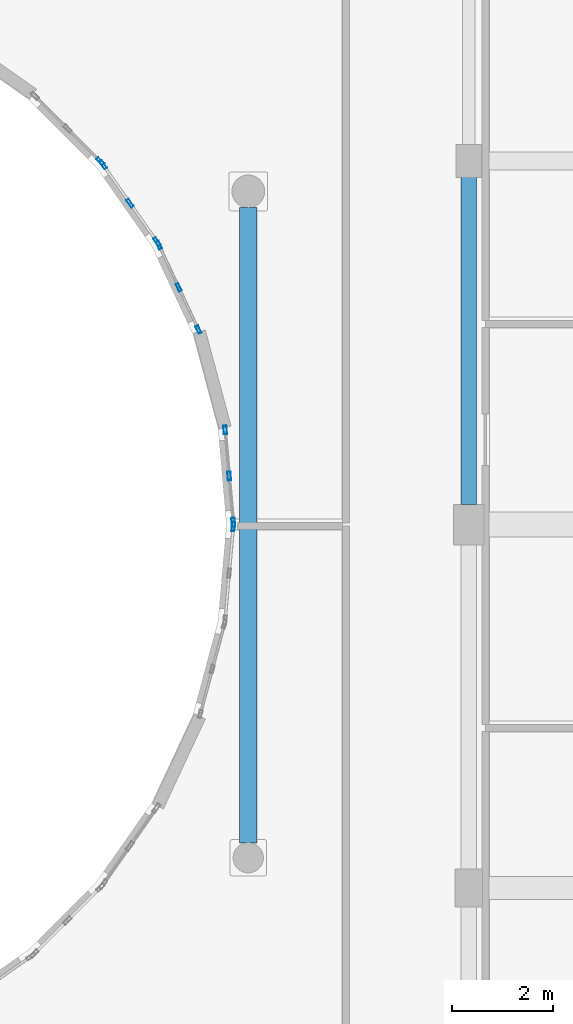
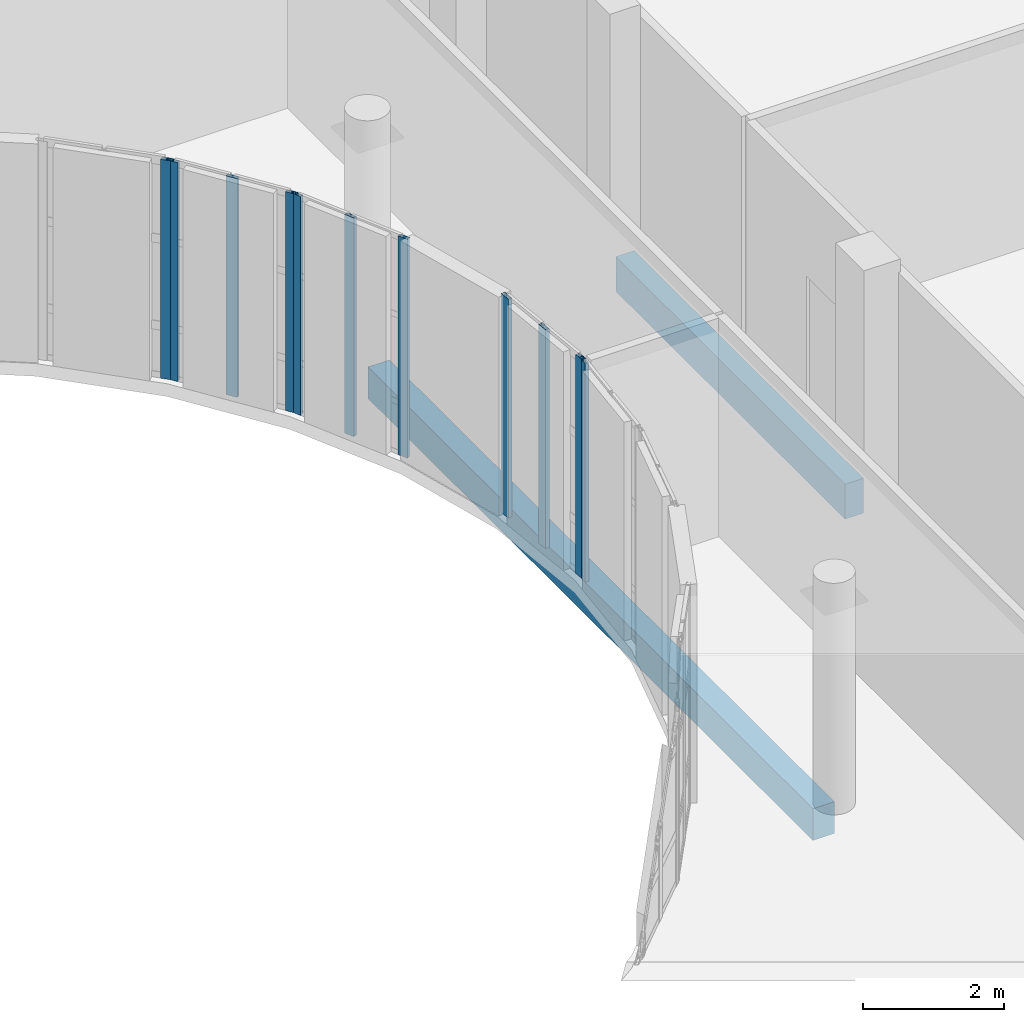
# One storey, part 32 of 105: 11 members, 2 beams, 5 elements without a shape of their own.
"""IFC4 building model written with IfcOpenShell, lengths in metres."""

from ifc_helpers import new_model, si_unit, direction, frame, origin, origin_2d, place, context, subcontext, project, spatial, rectangle, hollow_rectangle, extrude, material, layer, layer_set, material_profile, profile_set, type_object, element, aggregate, save


model = new_model("IFC4")

# Units and contexts
model_context = context("Model", 3, precision=1e-05, world=origin(), true_north=direction((0.0, 1.0)))
body_context = subcontext(model_context, "Body", "Model", "MODEL_VIEW")
ifc_project = project(units=[si_unit("LENGTHUNIT", "METRE"), si_unit("AREAUNIT", "SQUARE_METRE"), si_unit("VOLUMEUNIT", "CUBIC_METRE"), si_unit("PLANEANGLEUNIT", "RADIAN"), si_unit("MASSUNIT", "GRAM", prefix="KILO")], contexts=[model_context])

# Site, building, storey
site_placement = place(None, origin())
site = spatial("IfcSite", under=ifc_project, at=site_placement, CompositionType="ELEMENT")
building_placement = place(site_placement, origin())
building = spatial("IfcBuilding", under=site, at=building_placement, Name="Kelanivale Promenade Academy", CompositionType="ELEMENT")
storey_placement = place(building_placement, frame((0.0, 0.0, 4.199951171875)))
storey = spatial("IfcBuildingStorey", under=building, at=storey_placement, Name="L01", CompositionType="ELEMENT", Elevation=4.199951171875)

# Curtain wall, members
ifc_material_1 = material(Name="Bronze anodised aluminium and solar-control low-E glass", Category="aluminium")
ifc_layer_1 = layer(ifc_material_1, 0.179931640625)
ifc_layer_set_1 = layer_set([ifc_layer_1], Name="Bronze anodised aluminium and solar-control low-E glass")
curtain_wall_type_1 = type_object("IfcCurtainWallType", Name="CW-05 Curtain Wall 1950mm Module", PredefinedType="USERDEFINED", material=ifc_layer_set_1)
curtain_wall_1_placement = place(storey_placement, origin())
curtain_wall_1 = element("IfcCurtainWall", 1, at=curtain_wall_1_placement, inside=storey, type_object=curtain_wall_type_1, Name="L01 courtyard curtain wall CW-05", ObjectType="UNITISED GLAZING", PredefinedType="USERDEFINED")
ifc_material_2 = material(Name="Bronze anodised aluminium EN AW-6063 T6", Category="aluminium")
ifc_material_profile_1 = material_profile(ifc_material_2, hollow_rectangle(XDim=0.06005859375, YDim=0.159912109375, WallThickness=0.00390625, at=origin_2d()), Name="ALU 60x160x4.0")
ifc_profile_set_1 = profile_set([ifc_material_profile_1], Name="Bronze anodised aluminium EN AW-6063 T6")
member_type_1 = type_object("IfcMemberType", Name="CWM-01 ALU 60x160x4.0", PredefinedType="MULLION", material=ifc_profile_set_1)
member_1_placement = place(storey_placement, frame((73.84521484375, 60.662109375, 0.0), z_axis=(0.0, 0.0, 1.0), x_axis=(-0.906089128146, -0.423086860887, 0.0)))
member_1 = element("IfcMember", 2, at=member_1_placement, type_object=member_type_1, Name="CW-05 mullion 1", PredefinedType="MULLION", context=body_context, shape_type="SweptSolid", body=[
    extrude(hollow_rectangle(XDim=0.06005859375, YDim=0.159912109375, WallThickness=0.00390625, at=origin_2d()), origin(), (0.0, 0.0, 1.0), 3.780029296875),
])
member_2_placement = place(storey_placement, frame((73.45556640625, 61.4970703125, 0.0), z_axis=(0.0, 0.0, 1.0), x_axis=(-0.906089128146, -0.423086860887, 0.0)))
member_2 = element("IfcMember", 3, at=member_2_placement, type_object=member_type_1, Name="CW-05 mullion 2", PredefinedType="MULLION", context=body_context, shape_type="SweptSolid", body=[
    extrude(hollow_rectangle(XDim=0.06005859375, YDim=0.159912109375, WallThickness=0.00390625, at=origin_2d()), origin(), (0.0, 0.0, 1.0), 3.780029296875),
])
member_3_placement = place(storey_placement, frame((73.065673828125, 62.331787109375, 0.0), z_axis=(0.0, 0.0, 1.0), x_axis=(-0.906089128146, -0.423086860887, 0.0)))
member_3 = element("IfcMember", 4, at=member_3_placement, type_object=member_type_1, Name="CW-05 mullion 3", PredefinedType="MULLION", context=body_context, shape_type="SweptSolid", body=[
    extrude(hollow_rectangle(XDim=0.06005859375, YDim=0.159912109375, WallThickness=0.00390625, at=origin_2d()), origin(), (0.0, 0.0, 1.0), 3.780029296875),
])
aggregate(curtain_wall_1, [member_1, member_2, member_3])

ifc_layer_2 = layer(ifc_material_1, 0.159912109375)
ifc_layer_set_2 = layer_set([ifc_layer_2], Name="Bronze anodised aluminium and solar-control low-E glass")
curtain_wall_type_2 = type_object("IfcCurtainWallType", Name="CW-06 Curtain Wall 1200mm Module", PredefinedType="USERDEFINED", material=ifc_layer_set_2)
curtain_wall_2_placement = place(storey_placement, origin())
curtain_wall_2 = element("IfcCurtainWall", 5, at=curtain_wall_2_placement, inside=storey, type_object=curtain_wall_type_2, Name="L01 courtyard curtain wall CW-06", ObjectType="UNITISED GLAZING", PredefinedType="USERDEFINED")
ifc_material_profile_2 = material_profile(ifc_material_2, hollow_rectangle(XDim=0.06005859375, YDim=0.179931640625, WallThickness=0.00390625, at=origin_2d()), Name="ALU 60x180x4.0")
ifc_profile_set_2 = profile_set([ifc_material_profile_2], Name="Bronze anodised aluminium EN AW-6063 T6")
member_type_2 = type_object("IfcMemberType", Name="CWM-02 ALU 60x180x4.0", PredefinedType="MULLION", material=ifc_profile_set_2)
member_4_placement = place(storey_placement, frame((73.023681640625, 62.404541015625, 0.0), z_axis=(0.0, 0.0, 1.0), x_axis=(-0.81915842439, -0.573567324515, 0.0)))
member_4 = element("IfcMember", 6, at=member_4_placement, type_object=member_type_2, Name="CW-06 mullion 1", PredefinedType="MULLION", context=body_context, shape_type="SweptSolid", body=[
    extrude(hollow_rectangle(XDim=0.06005859375, YDim=0.179931640625, WallThickness=0.00390625, at=origin_2d()), origin(), (0.0, 0.0, 1.0), 3.780029296875),
])
member_5_placement = place(storey_placement, frame((72.490966796875, 63.16552734375, 0.0), z_axis=(0.0, 0.0, 1.0), x_axis=(-0.81915842439, -0.573567324515, 0.0)))
member_5 = element("IfcMember", 7, at=member_5_placement, type_object=member_type_2, Name="CW-06 mullion 2", PredefinedType="MULLION", context=body_context, shape_type="SweptSolid", body=[
    extrude(hollow_rectangle(XDim=0.06005859375, YDim=0.179931640625, WallThickness=0.00390625, at=origin_2d()), origin(), (0.0, 0.0, 1.0), 3.780029296875),
])
member_6_placement = place(storey_placement, frame((71.958251953125, 63.926513671875, 0.0), z_axis=(0.0, 0.0, 1.0), x_axis=(-0.81915842439, -0.573567324515, 0.0)))
member_6 = element("IfcMember", 8, at=member_6_placement, type_object=member_type_2, Name="CW-06 mullion 3", PredefinedType="MULLION", context=body_context, shape_type="SweptSolid", body=[
    extrude(hollow_rectangle(XDim=0.06005859375, YDim=0.179931640625, WallThickness=0.00390625, at=origin_2d()), origin(), (0.0, 0.0, 1.0), 3.780029296875),
])
aggregate(curtain_wall_2, [member_4, member_5, member_6])

# Curtain wall, member
curtain_wall_3_placement = place(storey_placement, origin())
curtain_wall_3 = element("IfcCurtainWall", 9, at=curtain_wall_3_placement, inside=storey, type_object=curtain_wall_type_2, Name="L01 courtyard curtain wall CW-06", ObjectType="UNITISED GLAZING", PredefinedType="USERDEFINED")
member_7_placement = place(storey_placement, frame((74.536376953125, 56.758056640625, 0.0), z_axis=(0.0, 0.0, 1.0), x_axis=(-0.996199376727, 0.087102249164, 0.0)))
member_7 = element("IfcMember", 10, at=member_7_placement, type_object=member_type_2, Name="CW-06 mullion 3", PredefinedType="MULLION", context=body_context, shape_type="SweptSolid", body=[
    extrude(hollow_rectangle(XDim=0.06005859375, YDim=0.179931640625, WallThickness=0.00390625, at=origin_2d()), origin(), (0.0, 0.0, 1.0), 3.780029296875),
])
aggregate(curtain_wall_3, [member_7])

ifc_layer_3 = layer(ifc_material_1, 0.169921875)
ifc_layer_set_3 = layer_set([ifc_layer_3], Name="Bronze anodised aluminium and solar-control low-E glass")
curtain_wall_type_3 = type_object("IfcCurtainWallType", Name="CW-07 Curtain Wall 1350mm Module", PredefinedType="USERDEFINED", material=ifc_layer_set_3)
curtain_wall_4_placement = place(storey_placement, origin())
curtain_wall_4 = element("IfcCurtainWall", 11, at=curtain_wall_4_placement, inside=storey, type_object=curtain_wall_type_3, Name="L01 courtyard curtain wall CW-07", ObjectType="UNITISED GLAZING", PredefinedType="USERDEFINED")
ifc_material_profile_3 = material_profile(ifc_material_2, hollow_rectangle(XDim=0.06494140625, YDim=0.175048828125, WallThickness=0.00390625, at=origin_2d()), Name="ALU 65x175x4.0")
ifc_profile_set_3 = profile_set([ifc_material_profile_3], Name="Bronze anodised aluminium EN AW-6063 T6")
member_type_3 = type_object("IfcMemberType", Name="CWM-03 ALU 65x175x4.0", PredefinedType="MULLION", material=ifc_profile_set_3)
member_8_placement = place(storey_placement, frame((71.902099609375, 63.992919921875, 0.0), z_axis=(0.0, 0.0, 1.0), x_axis=(-0.707106781187, -0.707106781187, 0.0)))
member_8 = element("IfcMember", 12, at=member_8_placement, type_object=member_type_3, Name="CW-07 mullion 1", PredefinedType="MULLION", context=body_context, shape_type="SweptSolid", body=[
    extrude(hollow_rectangle(XDim=0.06494140625, YDim=0.175048828125, WallThickness=0.00390625, at=origin_2d()), origin(), (0.0, 0.0, 1.0), 3.780029296875),
])
aggregate(curtain_wall_4, [member_8])

# Curtain wall, members
curtain_wall_5_placement = place(storey_placement, origin())
curtain_wall_5 = element("IfcCurtainWall", 13, at=curtain_wall_5_placement, inside=storey, type_object=curtain_wall_type_3, Name="L01 courtyard curtain wall CW-07", ObjectType="UNITISED GLAZING", PredefinedType="USERDEFINED")
member_9_placement = place(storey_placement, frame((74.5361328125, 56.844482421875, 0.0), z_axis=(0.0, 0.0, 1.0), x_axis=(-0.996185153601, -0.087264768066, 0.0)))
member_9 = element("IfcMember", 14, at=member_9_placement, type_object=member_type_3, Name="CW-07 mullion 1", PredefinedType="MULLION", context=body_context, shape_type="SweptSolid", body=[
    extrude(hollow_rectangle(XDim=0.06494140625, YDim=0.175048828125, WallThickness=0.00390625, at=origin_2d()), origin(), (0.0, 0.0, 1.0), 3.780029296875),
])
member_10_placement = place(storey_placement, frame((74.4560546875, 57.759521484375, 0.0), z_axis=(0.0, 0.0, 1.0), x_axis=(-0.996185153601, -0.087264768066, 0.0)))
member_10 = element("IfcMember", 15, at=member_10_placement, type_object=member_type_3, Name="CW-07 mullion 2", PredefinedType="MULLION", context=body_context, shape_type="SweptSolid", body=[
    extrude(hollow_rectangle(XDim=0.06494140625, YDim=0.175048828125, WallThickness=0.00390625, at=origin_2d()), origin(), (0.0, 0.0, 1.0), 3.780029296875),
])
member_11_placement = place(storey_placement, frame((74.375732421875, 58.674560546875, 0.0), z_axis=(0.0, 0.0, 1.0), x_axis=(-0.996185153601, -0.087264768066, 0.0)))
member_11 = element("IfcMember", 16, at=member_11_placement, type_object=member_type_3, Name="CW-07 mullion 3", PredefinedType="MULLION", context=body_context, shape_type="SweptSolid", body=[
    extrude(hollow_rectangle(XDim=0.06494140625, YDim=0.175048828125, WallThickness=0.00390625, at=origin_2d()), origin(), (0.0, 0.0, 1.0), 3.780029296875),
])
aggregate(curtain_wall_5, [member_9, member_10, member_11])

# Beams
ifc_material_3 = material(Name="Concrete C35/45", Category="concrete")
ifc_material_profile_4 = material_profile(ifc_material_3, rectangle(XDim=0.300048828125, YDim=0.60009765625, at=origin_2d()), Name="RC-BM 300x600")
ifc_profile_set_4 = profile_set([ifc_material_profile_4], Name="Concrete C35/45")
beam_type_1 = type_object("IfcBeamType", Name="JS-03 RC-BM 300x600", PredefinedType="JOIST", material=ifc_profile_set_4)
beam_1_placement = place(storey_placement, frame((79.199951171875, 57.195068359375, -0.52001953125), z_axis=(0.0, 1.0, 0.0), x_axis=(-1.0, 0.0, 0.0)))
element("IfcBeam", 17, at=beam_1_placement, inside=storey, type_object=beam_type_1, Name="L01 beam JS-03", PredefinedType="JOIST", context=body_context, shape_type="SweptSolid", body=[
    extrude(rectangle(XDim=0.300048828125, YDim=0.60009765625, at=origin_2d()), origin(), (0.0, 0.0, 1.0), 6.48486328125),
])
ifc_material_profile_5 = material_profile(ifc_material_3, rectangle(XDim=0.35009765625, YDim=0.550048828125, at=origin_2d()), Name="RC-BM 350x550")
ifc_profile_set_5 = profile_set([ifc_material_profile_5], Name="Concrete C35/45")
beam_type_2 = type_object("IfcBeamType", Name="JS-06 RC-BM 350x550", PredefinedType="JOIST", material=ifc_profile_set_5)
beam_2_placement = place(storey_placement, frame((74.83203125, 50.4951171875, -0.494873046875), z_axis=(0.0, 1.0, 0.0), x_axis=(-1.0, 0.0, 0.0)))
element("IfcBeam", 18, at=beam_2_placement, inside=storey, type_object=beam_type_2, Name="L01 beam JS-06", PredefinedType="JOIST", context=body_context, shape_type="SweptSolid", body=[
    extrude(rectangle(XDim=0.35009765625, YDim=0.550048828125, at=origin_2d()), origin(), (0.0, 0.0, 1.0), 12.5849609375),
])

save(model, "model.ifc")
